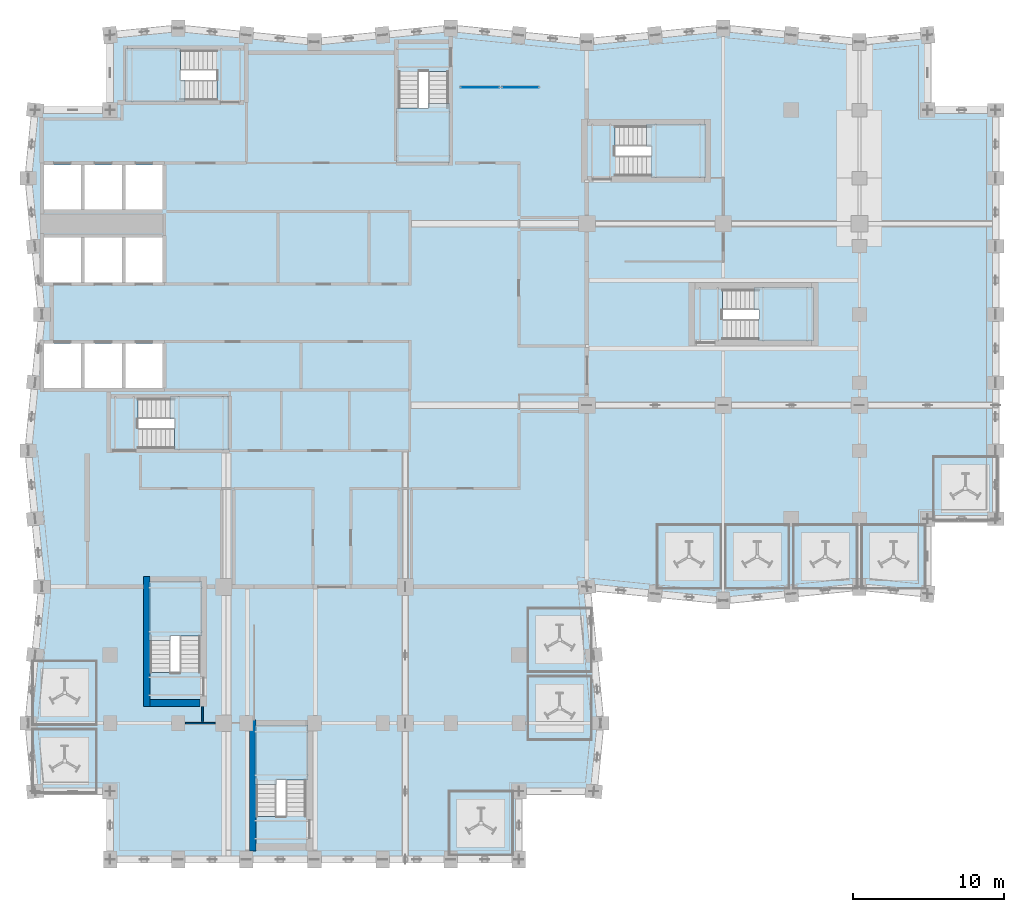
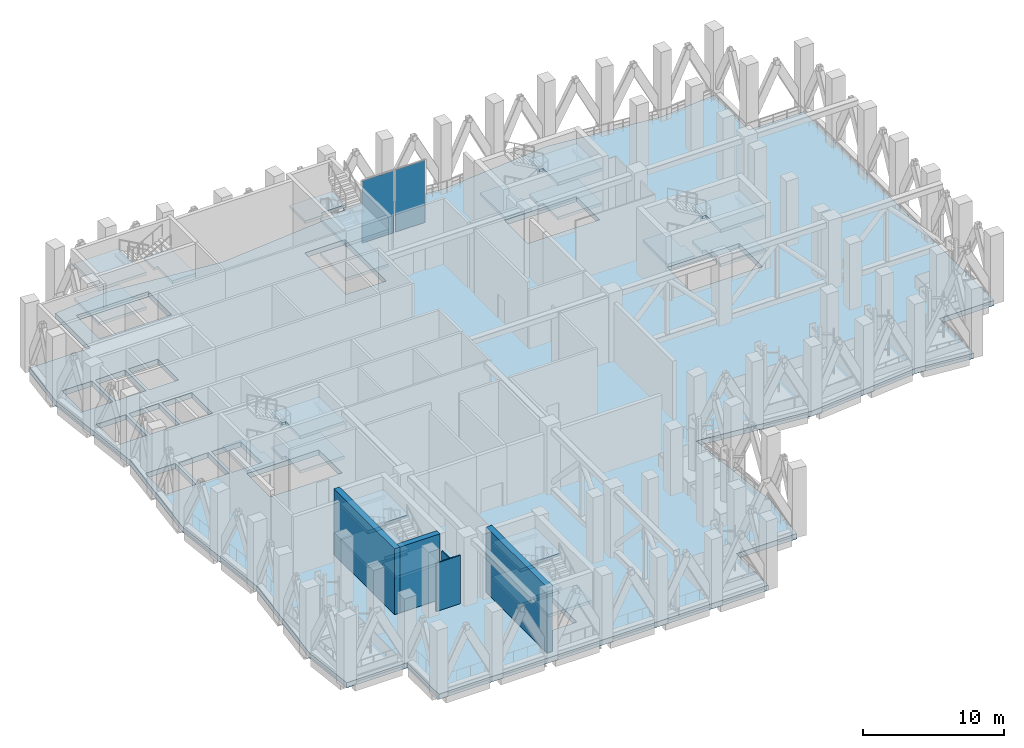
# One storey, part 14 of 28: 22 slabs, 5 walls, 2 plates, 9 elements without a shape of their own.
"""IFC4 building model written with IfcOpenShell, lengths in metres."""

from ifc_helpers import new_model, si_unit, direction, frame, frame_2d, origin, origin_2d, place, context, subcontext, project, spatial, polyline, rectangle, outline, extrude, material, layer, layer_set, type_object, element, aggregate, save


model = new_model("IFC4")

# Units and contexts
model_context = context("Model", 3, precision=1e-05, world=origin(), true_north=direction((0.0, 1.0)))
body_context = subcontext(model_context, "Body", "Model", "MODEL_VIEW")
ifc_project = project(units=[si_unit("LENGTHUNIT", "METRE"), si_unit("AREAUNIT", "SQUARE_METRE"), si_unit("VOLUMEUNIT", "CUBIC_METRE"), si_unit("PLANEANGLEUNIT", "RADIAN"), si_unit("MASSUNIT", "GRAM", prefix="KILO")], contexts=[model_context])

# Site, building, storey
site_placement = place(None, origin())
site = spatial("IfcSite", under=ifc_project, at=site_placement, CompositionType="ELEMENT")
building_placement = place(site_placement, origin())
building = spatial("IfcBuilding", under=site, at=building_placement, Name="Brondeck Convention Tower", CompositionType="ELEMENT")
storey_placement = place(building_placement, frame((0.0, 0.0, 192.800048828125)))
storey = spatial("IfcBuildingStorey", under=building, at=storey_placement, Name="L47", CompositionType="ELEMENT", Elevation=192.800048828125)

# Curtain wall, plate
ifc_material_1 = material(Name="Aluminium, bronze anodised", Category="aluminium")
curtain_wall_type = type_object("IfcCurtainWallType", Name="Band enclosure curtain wall", PredefinedType="NOTDEFINED", material=ifc_material_1)
curtain_wall_1_placement = place(storey_placement, origin())
curtain_wall_1 = element("IfcCurtainWall", 1, at=curtain_wall_1_placement, inside=storey, type_object=curtain_wall_type, Name="ENV-L47-001-CW50", PredefinedType="NOTDEFINED")
ifc_material_2 = material(Name="Bronze tinted laminated glass", Category="glass")
ifc_layer_1 = layer(ifc_material_2, 0.008056640625, Name="Outer pane")
ifc_material_3 = material(Name="Argon-filled cavity")
ifc_layer_2 = layer(ifc_material_3, 0.011962890625, Name="Cavity")
ifc_material_4 = material(Name="Clear low-emissivity glass", Category="glass")
ifc_layer_3 = layer(ifc_material_4, 0.008056640625, Name="Inner pane")
ifc_layer_set_1 = layer_set([ifc_layer_1, ifc_layer_2, ifc_layer_3], Name="CW5 glazing panel")
plate_type = type_object("IfcPlateType", Name="CW5 glazing panel", PredefinedType="CURTAIN_PANEL", material=ifc_layer_set_1)
plate_1_placement = place(storey_placement, frame((31.60498046875, 60.0, 0.06005859375), z_axis=(0.0, 0.0, 1.0), x_axis=(1.0, 0.0, 0.0)))
plate_1 = element("IfcPlate", 2, at=plate_1_placement, type_object=plate_type, Name="CW5 panel 1.1", PredefinedType="CURTAIN_PANEL", context=body_context, shape_type="SweptSolid", body=[
    extrude(rectangle(XDim=2.429931640625, YDim=0.028076171875, at=origin_2d()), origin(), (0.0, 0.0, 1.0), 5.3798828125),
])
aggregate(curtain_wall_1, [plate_1])

curtain_wall_2_placement = place(storey_placement, origin())
curtain_wall_2 = element("IfcCurtainWall", 3, at=curtain_wall_2_placement, inside=storey, type_object=curtain_wall_type, Name="ENV-L47-001-CW51", PredefinedType="NOTDEFINED")
plate_2_placement = place(storey_placement, frame((28.93505859375, 60.0, 0.06005859375), z_axis=(0.0, 0.0, 1.0), x_axis=(1.0, 0.0, 0.0)))
plate_2 = element("IfcPlate", 4, at=plate_2_placement, type_object=plate_type, Name="CW5 panel 1.1", PredefinedType="CURTAIN_PANEL", context=body_context, shape_type="SweptSolid", body=[
    extrude(rectangle(XDim=2.550048828125, YDim=0.028076171875, at=origin_2d()), origin(), (0.0, 0.0, 1.0), 5.3798828125),
])
aggregate(curtain_wall_2, [plate_2])

# Slab
ifc_material_5 = material(Name="Concrete C35/45", Category="concrete")
ifc_layer_4 = layer(ifc_material_5, 0.449951171875)
ifc_layer_set_2 = layer_set([ifc_layer_4], Name="Composite floor slab 450")
slab_type_1 = type_object("IfcSlabType", Name="Composite floor slab 450", PredefinedType="FLOOR", material=ifc_layer_set_2)
slab_1_placement = place(storey_placement, frame((0.0, 0.0, -0.449951171875)))
element("IfcSlab", 5, at=slab_1_placement, inside=storey, type_object=slab_type_1, Name="STR-SL-L47", PredefinedType="FLOOR", context=body_context, shape_type="SweptSolid", body=[
    extrude(outline(polyline([(4.5, 13.5), (-0.449951171875, 13.5), (-0.89990234375, 18.0), (0.0, 27.0), (-0.89990234375, 36.0), (0.0, 45.0), (-0.89990234375, 54.0), (-0.449951171875, 58.5), (4.5, 58.5), (4.5, 63.449951171875), (9.0, 63.89990234375), (18.0, 63.0), (27.0, 63.89990234375), (36.0, 63.0), (45.0, 63.89990234375), (54.0, 63.0), (58.5, 63.449951171875), (58.5, 58.5), (63.0, 58.5), (63.0, 31.5), (58.5, 31.5), (58.5, 26.550048828125), (54.0, 27.0), (45.0, 26.10009765625), (36.0, 27.0), (36.89990234375, 18.0), (36.449951171875, 13.5), (31.5, 13.5), (31.5, 9.0), (4.5, 9.0), (4.5, 13.5)]), holes=[polyline([(2.574951171875, 40.125), (2.574951171875, 43.074951171875), (0.125, 43.074951171875), (0.125, 40.125), (2.574951171875, 40.125)]), polyline([(5.27490234375, 40.125), (5.27490234375, 43.074951171875), (2.824951171875, 43.074951171875), (2.824951171875, 40.125), (5.27490234375, 40.125)]), polyline([(7.97509765625, 40.125), (7.97509765625, 43.074951171875), (5.52490234375, 43.074951171875), (5.52490234375, 40.125), (7.97509765625, 40.125)]), polyline([(2.574951171875, 47.125), (2.574951171875, 50.074951171875), (0.125, 50.074951171875), (0.125, 47.125), (2.574951171875, 47.125)]), polyline([(5.27490234375, 47.125), (5.27490234375, 50.074951171875), (2.824951171875, 50.074951171875), (2.824951171875, 47.125), (5.27490234375, 47.125)]), polyline([(7.97509765625, 47.125), (7.97509765625, 50.074951171875), (5.52490234375, 50.074951171875), (5.52490234375, 47.125), (7.97509765625, 47.125)]), polyline([(2.574951171875, 51.925048828125), (2.574951171875, 54.875), (0.125, 54.875), (0.125, 51.925048828125), (2.574951171875, 51.925048828125)]), polyline([(5.27490234375, 51.925048828125), (5.27490234375, 54.875), (2.824951171875, 54.875), (2.824951171875, 51.925048828125), (5.27490234375, 51.925048828125)]), polyline([(17.447998046875, 17.748046875), (14.152099609375, 17.748046875), (14.152099609375, 11.85205078125), (17.447998046875, 11.85205078125), (17.447998046875, 17.748046875)]), polyline([(10.447998046875, 27.248046875), (7.152099609375, 27.248046875), (7.152099609375, 21.35205078125), (10.447998046875, 21.35205078125), (10.447998046875, 27.248046875)]), polyline([(12.248046875, 36.152099609375), (12.248046875, 39.447998046875), (6.35205078125, 39.447998046875), (6.35205078125, 36.152099609375), (12.248046875, 36.152099609375)]), polyline([(50.847900390625, 43.35205078125), (50.847900390625, 46.64794921875), (44.951904296875, 46.64794921875), (44.951904296875, 43.35205078125), (50.847900390625, 43.35205078125)]), polyline([(7.97509765625, 51.925048828125), (7.97509765625, 54.875), (5.52490234375, 54.875), (5.52490234375, 51.925048828125), (7.97509765625, 51.925048828125)]), polyline([(43.748046875, 54.152099609375), (43.748046875, 57.447998046875), (37.85205078125, 57.447998046875), (37.85205078125, 54.152099609375), (43.748046875, 54.152099609375)]), polyline([(23.552001953125, 55.152099609375), (26.847900390625, 55.152099609375), (26.847900390625, 61.048095703125), (23.552001953125, 61.048095703125), (23.552001953125, 55.152099609375)]), polyline([(5.652099609375, 62.447998046875), (5.652099609375, 59.152099609375), (11.548095703125, 59.152099609375), (11.548095703125, 62.447998046875), (5.652099609375, 62.447998046875)])]), origin(), (0.0, 0.0, 1.0), 0.449951171875),
])

# Stair, slabs
ifc_material_6 = material(Name="Precast concrete C50/60", Category="concrete")
stair_type = type_object("IfcStairType", Name="Core stair 36 risers 166.67 mm riser 300 mm going 1350 wide", PredefinedType="HALF_TURN_STAIR", material=ifc_material_6)
stair_1_placement = place(storey_placement, origin())
stair_1 = element("IfcStair", 6, at=stair_1_placement, inside=storey, type_object=stair_type, Name="ST-1 L47 stair", PredefinedType="HALF_TURN_STAIR")
ifc_layer_5 = layer(ifc_material_6, 0.25)
ifc_layer_set_3 = layer_set([ifc_layer_5], Name="Core stair landing 250 Precast concrete C50/60")
slab_type_2 = type_object("IfcSlabType", Name="Core stair landing 250 Precast concrete C50/60", PredefinedType="LANDING", material=ifc_layer_set_3)
slab_2_placement = place(storey_placement, frame((0.0, 0.0, 1.25)))
slab_2 = element("IfcSlab", 7, at=slab_2_placement, type_object=slab_type_2, Name="ST-1 landing 1", PredefinedType="LANDING", context=body_context, shape_type="SweptSolid", body=[
    extrude(outline(polyline([(8.748046875, 37.5), (8.75, 37.5), (8.75, 38.10009765625), (8.449951171875, 38.10009765625), (8.449951171875, 39.570068359375), (12.3701171875, 39.570068359375), (12.3701171875, 36.030029296875), (8.748046875, 36.030029296875), (8.748046875, 37.5)])), origin(), (0.0, 0.0, 1.0), 0.25),
])
slab_3_placement = place(storey_placement, frame((0.0, 0.0, 2.75)))
slab_3 = element("IfcSlab", 8, at=slab_3_placement, type_object=slab_type_2, Name="ST-1 landing 2", PredefinedType="LANDING", context=body_context, shape_type="SweptSolid", body=[
    extrude(outline(polyline([(6.64990234375, 37.5), (6.64990234375, 36.030029296875), (4.429931640625, 36.030029296875), (4.429931640625, 39.570068359375), (6.35205078125, 39.570068359375), (6.35205078125, 38.10009765625), (6.35009765625, 38.10009765625), (6.35009765625, 37.5), (6.64990234375, 37.5)])), origin(), (0.0, 0.0, 1.0), 0.25),
])
slab_4_placement = place(storey_placement, frame((0.0, 0.0, 4.25)))
slab_4 = element("IfcSlab", 9, at=slab_4_placement, type_object=slab_type_2, Name="ST-1 landing 3", PredefinedType="LANDING", context=body_context, shape_type="SweptSolid", body=[
    extrude(outline(polyline([(8.748046875, 37.5), (8.75, 37.5), (8.75, 38.10009765625), (8.449951171875, 38.10009765625), (8.449951171875, 39.570068359375), (12.3701171875, 39.570068359375), (12.3701171875, 36.030029296875), (8.748046875, 36.030029296875), (8.748046875, 37.5)])), origin(), (0.0, 0.0, 1.0), 0.25),
])
aggregate(stair_1, [slab_2, slab_3, slab_4])

stair_2_placement = place(storey_placement, origin())
stair_2 = element("IfcStair", 10, at=stair_2_placement, inside=storey, type_object=stair_type, Name="ST-2 L47 stair", PredefinedType="HALF_TURN_STAIR")
slab_5_placement = place(storey_placement, frame((0.0, 0.0, 1.25)))
slab_5 = element("IfcSlab", 11, at=slab_5_placement, type_object=slab_type_2, Name="ST-2 landing 1", PredefinedType="LANDING", context=body_context, shape_type="SweptSolid", body=[
    extrude(outline(polyline([(23.429931640625, 58.652099609375), (24.89990234375, 58.652099609375), (24.89990234375, 58.64990234375), (25.5, 58.64990234375), (25.5, 58.949951171875), (26.969970703125, 58.949951171875), (26.969970703125, 55.030029296875), (23.429931640625, 55.030029296875), (23.429931640625, 58.652099609375)])), origin(), (0.0, 0.0, 1.0), 0.25),
])
slab_6_placement = place(storey_placement, frame((0.0, 0.0, 2.75)))
slab_6 = element("IfcSlab", 12, at=slab_6_placement, type_object=slab_type_2, Name="ST-2 landing 2", PredefinedType="LANDING", context=body_context, shape_type="SweptSolid", body=[
    extrude(outline(polyline([(23.429931640625, 62.969970703125), (26.969970703125, 62.969970703125), (26.969970703125, 61.048095703125), (25.5, 61.048095703125), (25.5, 61.050048828125), (24.89990234375, 61.050048828125), (24.89990234375, 60.75), (23.429931640625, 60.75), (23.429931640625, 62.969970703125)])), origin(), (0.0, 0.0, 1.0), 0.25),
])
slab_7_placement = place(storey_placement, frame((0.0, 0.0, 4.25)))
slab_7 = element("IfcSlab", 13, at=slab_7_placement, type_object=slab_type_2, Name="ST-2 landing 3", PredefinedType="LANDING", context=body_context, shape_type="SweptSolid", body=[
    extrude(outline(polyline([(23.429931640625, 58.652099609375), (24.89990234375, 58.652099609375), (24.89990234375, 58.64990234375), (25.5, 58.64990234375), (25.5, 58.949951171875), (26.969970703125, 58.949951171875), (26.969970703125, 55.030029296875), (23.429931640625, 55.030029296875), (23.429931640625, 58.652099609375)])), origin(), (0.0, 0.0, 1.0), 0.25),
])
aggregate(stair_2, [slab_5, slab_6, slab_7])

stair_3_placement = place(storey_placement, origin())
stair_3 = element("IfcStair", 14, at=stair_3_placement, inside=storey, type_object=stair_type, Name="ST-3 L47 stair", PredefinedType="HALF_TURN_STAIR")
slab_8_placement = place(storey_placement, frame((0.0, 0.0, 1.25)))
slab_8 = element("IfcSlab", 15, at=slab_8_placement, type_object=slab_type_2, Name="ST-3 landing 1", PredefinedType="LANDING", context=body_context, shape_type="SweptSolid", body=[
    extrude(outline(polyline([(9.449951171875, 60.5), (9.449951171875, 59.030029296875), (5.530029296875, 59.030029296875), (5.530029296875, 62.570068359375), (9.152099609375, 62.570068359375), (9.152099609375, 61.10009765625), (9.14990234375, 61.10009765625), (9.14990234375, 60.5), (9.449951171875, 60.5)])), origin(), (0.0, 0.0, 1.0), 0.25),
])
slab_9_placement = place(storey_placement, frame((0.0, 0.0, 2.75)))
slab_9 = element("IfcSlab", 16, at=slab_9_placement, type_object=slab_type_2, Name="ST-3 landing 2", PredefinedType="LANDING", context=body_context, shape_type="SweptSolid", body=[
    extrude(outline(polyline([(11.548095703125, 60.5), (11.550048828125, 60.5), (11.550048828125, 61.10009765625), (11.25, 61.10009765625), (11.25, 62.570068359375), (13.469970703125, 62.570068359375), (13.469970703125, 59.030029296875), (11.548095703125, 59.030029296875), (11.548095703125, 60.5)])), origin(), (0.0, 0.0, 1.0), 0.25),
])
slab_10_placement = place(storey_placement, frame((0.0, 0.0, 4.25)))
slab_10 = element("IfcSlab", 17, at=slab_10_placement, type_object=slab_type_2, Name="ST-3 landing 3", PredefinedType="LANDING", context=body_context, shape_type="SweptSolid", body=[
    extrude(outline(polyline([(9.449951171875, 60.5), (9.449951171875, 59.030029296875), (5.530029296875, 59.030029296875), (5.530029296875, 62.570068359375), (9.152099609375, 62.570068359375), (9.152099609375, 61.10009765625), (9.14990234375, 61.10009765625), (9.14990234375, 60.5), (9.449951171875, 60.5)])), origin(), (0.0, 0.0, 1.0), 0.25),
])
aggregate(stair_3, [slab_8, slab_9, slab_10])

stair_4_placement = place(storey_placement, origin())
stair_4 = element("IfcStair", 18, at=stair_4_placement, inside=storey, type_object=stair_type, Name="ST-AE L47 stair", PredefinedType="HALF_TURN_STAIR")
slab_11_placement = place(storey_placement, frame((0.0, 0.0, 1.25)))
slab_11 = element("IfcSlab", 19, at=slab_11_placement, type_object=slab_type_2, Name="ST-AE landing 1", PredefinedType="LANDING", context=body_context, shape_type="SweptSolid", body=[
    extrude(outline(polyline([(40.248046875, 55.5), (40.25, 55.5), (40.25, 56.10009765625), (39.949951171875, 56.10009765625), (39.949951171875, 57.570068359375), (43.8701171875, 57.570068359375), (43.8701171875, 54.030029296875), (40.248046875, 54.030029296875), (40.248046875, 55.5)])), origin(), (0.0, 0.0, 1.0), 0.25),
])
slab_12_placement = place(storey_placement, frame((0.0, 0.0, 2.75)))
slab_12 = element("IfcSlab", 20, at=slab_12_placement, type_object=slab_type_2, Name="ST-AE landing 2", PredefinedType="LANDING", context=body_context, shape_type="SweptSolid", body=[
    extrude(outline(polyline([(38.14990234375, 55.5), (38.14990234375, 54.030029296875), (35.929931640625, 54.030029296875), (35.929931640625, 57.570068359375), (37.85205078125, 57.570068359375), (37.85205078125, 56.10009765625), (37.85009765625, 56.10009765625), (37.85009765625, 55.5), (38.14990234375, 55.5)])), origin(), (0.0, 0.0, 1.0), 0.25),
])
slab_13_placement = place(storey_placement, frame((0.0, 0.0, 4.25)))
slab_13 = element("IfcSlab", 21, at=slab_13_placement, type_object=slab_type_2, Name="ST-AE landing 3", PredefinedType="LANDING", context=body_context, shape_type="SweptSolid", body=[
    extrude(outline(polyline([(40.248046875, 55.5), (40.25, 55.5), (40.25, 56.10009765625), (39.949951171875, 56.10009765625), (39.949951171875, 57.570068359375), (43.8701171875, 57.570068359375), (43.8701171875, 54.030029296875), (40.248046875, 54.030029296875), (40.248046875, 55.5)])), origin(), (0.0, 0.0, 1.0), 0.25),
])
aggregate(stair_4, [slab_11, slab_12, slab_13])

stair_5_placement = place(storey_placement, origin())
stair_5 = element("IfcStair", 22, at=stair_5_placement, inside=storey, type_object=stair_type, Name="ST-BE L47 stair", PredefinedType="HALF_TURN_STAIR")
slab_14_placement = place(storey_placement, frame((0.0, 0.0, 1.25)))
slab_14 = element("IfcSlab", 23, at=slab_14_placement, type_object=slab_type_2, Name="ST-BE landing 1", PredefinedType="LANDING", context=body_context, shape_type="SweptSolid", body=[
    extrude(outline(polyline([(7.030029296875, 23.449951171875), (7.030029296875, 27.3701171875), (10.570068359375, 27.3701171875), (10.570068359375, 23.748046875), (9.10009765625, 23.748046875), (9.10009765625, 23.75), (8.5, 23.75), (8.5, 23.449951171875), (7.030029296875, 23.449951171875)])), origin(), (0.0, 0.0, 1.0), 0.25),
])
slab_15_placement = place(storey_placement, frame((0.0, 0.0, 2.75)))
slab_15 = element("IfcSlab", 24, at=slab_15_placement, type_object=slab_type_2, Name="ST-BE landing 2", PredefinedType="LANDING", context=body_context, shape_type="SweptSolid", body=[
    extrude(outline(polyline([(10.570068359375, 19.429931640625), (7.030029296875, 19.429931640625), (7.030029296875, 21.35205078125), (8.5, 21.35205078125), (8.5, 21.35009765625), (9.10009765625, 21.35009765625), (9.10009765625, 21.64990234375), (10.570068359375, 21.64990234375), (10.570068359375, 19.429931640625)])), origin(), (0.0, 0.0, 1.0), 0.25),
])
slab_16_placement = place(storey_placement, frame((0.0, 0.0, 4.25)))
slab_16 = element("IfcSlab", 25, at=slab_16_placement, type_object=slab_type_2, Name="ST-BE landing 3", PredefinedType="LANDING", context=body_context, shape_type="SweptSolid", body=[
    extrude(outline(polyline([(7.030029296875, 23.449951171875), (7.030029296875, 27.3701171875), (10.570068359375, 27.3701171875), (10.570068359375, 23.748046875), (9.10009765625, 23.748046875), (9.10009765625, 23.75), (8.5, 23.75), (8.5, 23.449951171875), (7.030029296875, 23.449951171875)])), origin(), (0.0, 0.0, 1.0), 0.25),
])
aggregate(stair_5, [slab_14, slab_15, slab_16])

stair_6_placement = place(storey_placement, origin())
stair_6 = element("IfcStair", 26, at=stair_6_placement, inside=storey, type_object=stair_type, Name="ST-AF L47 stair", PredefinedType="HALF_TURN_STAIR")
slab_17_placement = place(storey_placement, frame((0.0, 0.0, 1.25)))
slab_17 = element("IfcSlab", 27, at=slab_17_placement, type_object=slab_type_2, Name="ST-AF landing 1", PredefinedType="LANDING", context=body_context, shape_type="SweptSolid", body=[
    extrude(outline(polyline([(47.347900390625, 44.699951171875), (47.35009765625, 44.699951171875), (47.35009765625, 45.300048828125), (47.050048828125, 45.300048828125), (47.050048828125, 46.77001953125), (50.969970703125, 46.77001953125), (50.969970703125, 43.22998046875), (47.347900390625, 43.22998046875), (47.347900390625, 44.699951171875)])), origin(), (0.0, 0.0, 1.0), 0.25),
])
slab_18_placement = place(storey_placement, frame((0.0, 0.0, 2.75)))
slab_18 = element("IfcSlab", 28, at=slab_18_placement, type_object=slab_type_2, Name="ST-AF landing 2", PredefinedType="LANDING", context=body_context, shape_type="SweptSolid", body=[
    extrude(outline(polyline([(45.25, 44.699951171875), (45.25, 43.22998046875), (43.030029296875, 43.22998046875), (43.030029296875, 46.77001953125), (44.951904296875, 46.77001953125), (44.951904296875, 45.300048828125), (44.949951171875, 45.300048828125), (44.949951171875, 44.699951171875), (45.25, 44.699951171875)])), origin(), (0.0, 0.0, 1.0), 0.25),
])
slab_19_placement = place(storey_placement, frame((0.0, 0.0, 4.25)))
slab_19 = element("IfcSlab", 29, at=slab_19_placement, type_object=slab_type_2, Name="ST-AF landing 3", PredefinedType="LANDING", context=body_context, shape_type="SweptSolid", body=[
    extrude(outline(polyline([(47.347900390625, 44.699951171875), (47.35009765625, 44.699951171875), (47.35009765625, 45.300048828125), (47.050048828125, 45.300048828125), (47.050048828125, 46.77001953125), (50.969970703125, 46.77001953125), (50.969970703125, 43.22998046875), (47.347900390625, 43.22998046875), (47.347900390625, 44.699951171875)])), origin(), (0.0, 0.0, 1.0), 0.25),
])
aggregate(stair_6, [slab_17, slab_18, slab_19])

stair_7_placement = place(storey_placement, origin())
stair_7 = element("IfcStair", 30, at=stair_7_placement, inside=storey, type_object=stair_type, Name="ST-BF L47 stair", PredefinedType="HALF_TURN_STAIR")
slab_20_placement = place(storey_placement, frame((0.0, 0.0, 1.25)))
slab_20 = element("IfcSlab", 31, at=slab_20_placement, type_object=slab_type_2, Name="ST-BF landing 1", PredefinedType="LANDING", context=body_context, shape_type="SweptSolid", body=[
    extrude(outline(polyline([(14.030029296875, 13.949951171875), (14.030029296875, 17.8701171875), (17.570068359375, 17.8701171875), (17.570068359375, 14.248046875), (16.10009765625, 14.248046875), (16.10009765625, 14.25), (15.5, 14.25), (15.5, 13.949951171875), (14.030029296875, 13.949951171875)])), origin(), (0.0, 0.0, 1.0), 0.25),
])
slab_21_placement = place(storey_placement, frame((0.0, 0.0, 2.75)))
slab_21 = element("IfcSlab", 32, at=slab_21_placement, type_object=slab_type_2, Name="ST-BF landing 2", PredefinedType="LANDING", context=body_context, shape_type="SweptSolid", body=[
    extrude(outline(polyline([(17.570068359375, 9.929931640625), (14.030029296875, 9.929931640625), (14.030029296875, 11.85205078125), (15.5, 11.85205078125), (15.5, 11.85009765625), (16.10009765625, 11.85009765625), (16.10009765625, 12.14990234375), (17.570068359375, 12.14990234375), (17.570068359375, 9.929931640625)])), origin(), (0.0, 0.0, 1.0), 0.25),
])
slab_22_placement = place(storey_placement, frame((0.0, 0.0, 4.25)))
slab_22 = element("IfcSlab", 33, at=slab_22_placement, type_object=slab_type_2, Name="ST-BF landing 3", PredefinedType="LANDING", context=body_context, shape_type="SweptSolid", body=[
    extrude(outline(polyline([(14.030029296875, 13.949951171875), (14.030029296875, 17.8701171875), (17.570068359375, 17.8701171875), (17.570068359375, 14.248046875), (16.10009765625, 14.248046875), (16.10009765625, 14.25), (15.5, 14.25), (15.5, 13.949951171875), (14.030029296875, 13.949951171875)])), origin(), (0.0, 0.0, 1.0), 0.25),
])
aggregate(stair_7, [slab_20, slab_21, slab_22])

# Walls
ifc_material_7 = material(Name="Gypsum board partition on steel studs", Category="steel")
ifc_layer_6 = layer(ifc_material_7, 0.10009765625)
ifc_layer_set_4 = layer_set([ifc_layer_6], Name="Room partition 100")
wall_type_1 = type_object("IfcWallType", Name="Room partition 100", PredefinedType="PARTITIONING", material=ifc_layer_set_4)
wall_1_placement = place(storey_placement, frame((11.445068359375, 18.0, 0.0), z_axis=(0.0, 0.0, 1.0), x_axis=(-1.0, 0.0, 0.0)))
element("IfcWall", 34, at=wall_1_placement, inside=storey, type_object=wall_type_1, Name="FLR-L47-W001", PredefinedType="PARTITIONING", context=body_context, shape_type="SweptSolid", body=[
    extrude(rectangle(XDim=1.97509765625, YDim=0.10009765625, at=frame_2d((0.987548828125, 0.0))), origin(), (0.0, 0.0, 1.0), 4.179931640625),
])
wall_2_placement = place(storey_placement, frame((10.60009765625, 18.050048828125, 0.0), z_axis=(0.0, 0.0, 1.0), x_axis=(0.0, 1.0, 0.0)))
element("IfcWall", 35, at=wall_2_placement, inside=storey, type_object=wall_type_1, Name="FLR-L47-W003", PredefinedType="PARTITIONING", context=body_context, shape_type="SweptSolid", body=[
    extrude(rectangle(XDim=1.050048828125, YDim=0.10009765625, at=frame_2d((0.52490234375, 0.0))), origin(), (0.0, 0.0, 1.0), 4.179931640625),
])
ifc_material_8 = material(Name="Concrete C50/60", Category="concrete")
ifc_layer_7 = layer(ifc_material_8, 0.449951171875)
ifc_layer_set_5 = layer_set([ifc_layer_7], Name="Stair enclosure bearing wall 450 Concrete C50/60")
wall_type_2 = type_object("IfcWallType", Name="Stair enclosure bearing wall 450 Concrete C50/60", PredefinedType="SHEAR", material=ifc_layer_set_5)
wall_3_placement = place(storey_placement, frame((7.14990234375, 19.324951171875, 0.0), z_axis=(0.0, 0.0, 1.0), x_axis=(1.0, 0.0, 0.0)))
element("IfcWall", 36, at=wall_3_placement, inside=storey, type_object=wall_type_2, Name="L47 core wall", PredefinedType="SHEAR", context=body_context, shape_type="SweptSolid", body=[
    extrude(rectangle(XDim=3.300048828125, YDim=0.449951171875, at=frame_2d((1.64990234375, 0.0))), origin(), (0.0, 0.0, 1.0), 5.699951171875),
])
wall_4_placement = place(storey_placement, frame((6.925048828125, 19.10009765625, 0.0), z_axis=(0.0, 0.0, 1.0), x_axis=(0.0, 1.0, 0.0)))
element("IfcWall", 37, at=wall_4_placement, inside=storey, type_object=wall_type_2, Name="L47 core wall", PredefinedType="SHEAR", context=body_context, shape_type="SweptSolid", body=[
    extrude(rectangle(XDim=8.599853515625, YDim=0.449951171875, at=frame_2d((4.2998046875, 0.0))), origin(), (0.0, 0.0, 1.0), 5.699951171875),
])
wall_5_placement = place(storey_placement, frame((13.925048828125, 9.550048828125, 0.0), z_axis=(0.0, 0.0, 1.0), x_axis=(0.0, 1.0, 0.0)))
element("IfcWall", 38, at=wall_5_placement, inside=storey, type_object=wall_type_2, Name="L47 core wall", PredefinedType="SHEAR", context=body_context, shape_type="SweptSolid", body=[
    extrude(rectangle(XDim=8.64990234375, YDim=0.449951171875, at=frame_2d((4.324951171875, 0.0))), origin(), (0.0, 0.0, 1.0), 5.699951171875),
])

save(model, "model.ifc")
